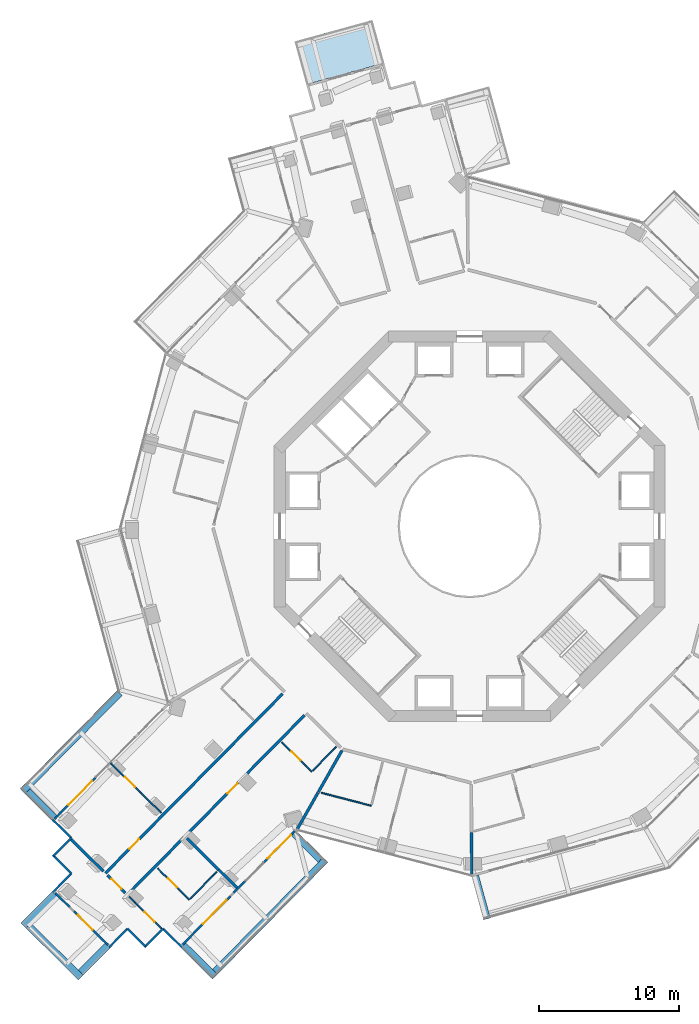
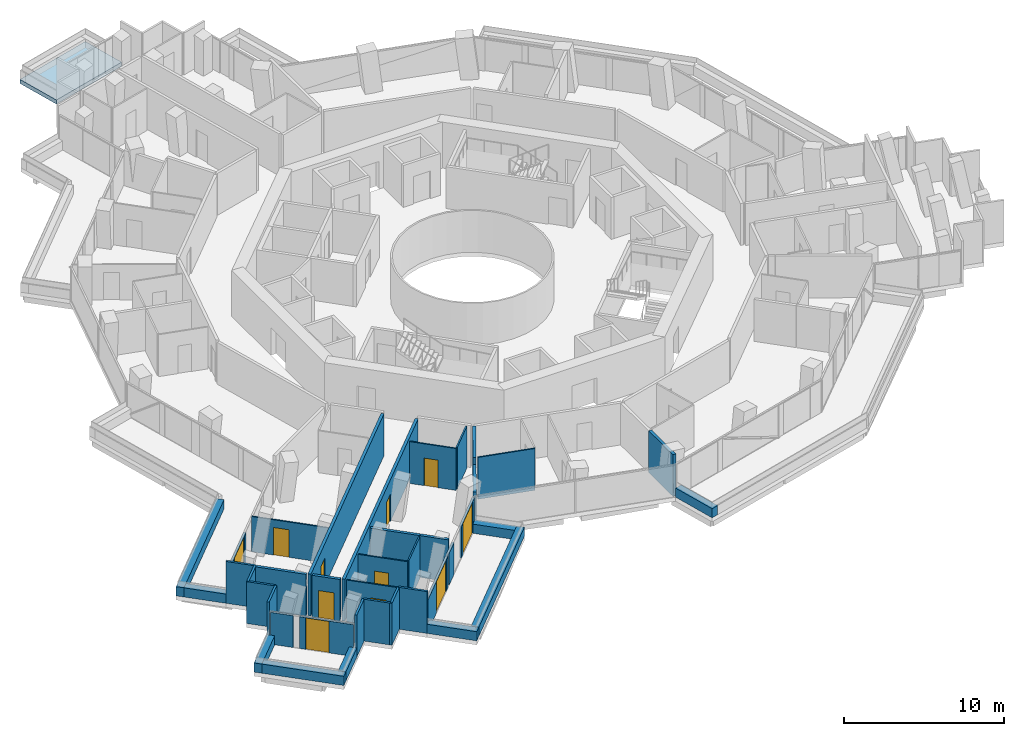
# One storey, part 17 of 26: 39 walls, 11 doors, 1 slab, 11 openings.
"""IFC4 building model written with IfcOpenShell, lengths in metres."""

from ifc_helpers import new_model, si_unit, direction, frame, frame_2d, origin, place, context, subcontext, project, spatial, polyline, rectangle, outline, extrude, material, layer, layer_set, type_object, element, fill, save


model = new_model("IFC4")

# Units and contexts
model_context = context("Model", 3, precision=1e-05, world=origin(), true_north=direction((0.0, 1.0)))
body_context = subcontext(model_context, "Body", "Model", "MODEL_VIEW")
ifc_project = project(units=[si_unit("LENGTHUNIT", "METRE"), si_unit("AREAUNIT", "SQUARE_METRE"), si_unit("VOLUMEUNIT", "CUBIC_METRE"), si_unit("PLANEANGLEUNIT", "RADIAN"), si_unit("MASSUNIT", "GRAM", prefix="KILO")], contexts=[model_context])

# Site, building, storey
site_placement = place(None, origin())
site = spatial("IfcSite", under=ifc_project, at=site_placement, CompositionType="ELEMENT")
building_placement = place(site_placement, origin())
building = spatial("IfcBuilding", under=site, at=building_placement, Name="Verdalira Terraces Hotel", CompositionType="ELEMENT")
storey_placement = place(building_placement, frame((0.0, 0.0, 96.5)))
storey = spatial("IfcBuildingStorey", under=building, at=storey_placement, Name="L22", CompositionType="ELEMENT", Elevation=96.5)

# Slab
ifc_material_1 = material(Name="Precast concrete C40/50", Category="concrete")
ifc_layer_1 = layer(ifc_material_1, 0.31005859375)
ifc_layer_set_1 = layer_set([ifc_layer_1], Name="Balcony deck 310")
slab_type = type_object("IfcSlabType", Name="Balcony deck 310", PredefinedType="FLOOR", material=ifc_layer_set_1)
slab_placement = place(storey_placement, frame((0.0, 0.0, -0.310059)))
element("IfcSlab", 1, at=slab_placement, inside=storey, type_object=slab_type, Name="Balcony deck", PredefinedType="FLOOR", context=body_context, shape_type="SweptSolid", body=[
    extrude(outline(polyline([(-12.551758, 34.745117), (-11.704102, 31.659424), (-6.111328, 33.195557), (-6.958984, 36.281494), (-12.551758, 34.745117)])), origin(), (0.0, 0.0, 1.0), 0.310059),
])

# Walls
ifc_material_2 = material(Name="Concrete C40", Category="concrete")
ifc_layer_2 = layer(ifc_material_2, 0.5)
ifc_layer_set_2 = layer_set([ifc_layer_2], Name="Balcony planter trough with tree")
wall_type_1 = type_object("IfcWallType", Name="Balcony planter trough with tree", PredefinedType="SOLIDWALL", material=ifc_layer_set_2)
wall_1_placement = place(storey_placement, frame((-25.067383, -11.935303, 0.0), z_axis=(0.0, 0.0, 1.0), x_axis=(-0.702651745, -0.711533924, 0.0)))
element("IfcWall", 2, at=wall_1_placement, inside=storey, type_object=wall_type_1, Name="Balcony planter", PredefinedType="SOLIDWALL", context=body_context, shape_type="SweptSolid", body=[
    extrude(rectangle(XDim=9.922607, YDim=0.5, at=frame_2d((4.961426, 0.0))), origin(), (0.0, 0.0, 1.0), 0.699951),
])
wall_2_placement = place(storey_placement, frame((-31.686035, -18.993408, 0.0), z_axis=(0.0, 0.0, 1.0), x_axis=(0.711525223, -0.702660556, 0.0)))
element("IfcWall", 3, at=wall_2_placement, inside=storey, type_object=wall_type_1, Name="Balcony planter", PredefinedType="SOLIDWALL", context=body_context, shape_type="SweptSolid", body=[
    extrude(rectangle(XDim=2.698975, YDim=0.5, at=frame_2d((1.349609, 0.0))), origin(), (0.0, 0.0, 1.0), 0.699951),
])
wall_3_placement = place(storey_placement, frame((-29.731445, -26.335938, 0.0), z_axis=(0.0, 0.0, 1.0), x_axis=(-0.70266644, -0.711519412, 0.0)))
element("IfcWall", 4, at=wall_3_placement, inside=storey, type_object=wall_type_1, Name="Balcony planter", PredefinedType="SOLIDWALL", context=body_context, shape_type="SweptSolid", body=[
    extrude(rectangle(XDim=3.198975, YDim=0.5, at=frame_2d((1.599609, 0.0))), origin(), (0.0, 0.0, 1.0), 0.699951),
])
wall_4_placement = place(storey_placement, frame((-31.625732, -28.609863, 0.0), z_axis=(0.0, 0.0, 1.0), x_axis=(0.711537906, -0.702647713, 0.0)))
element("IfcWall", 5, at=wall_4_placement, inside=storey, type_object=wall_type_1, Name="Balcony planter", PredefinedType="SOLIDWALL", context=body_context, shape_type="SweptSolid", body=[
    extrude(rectangle(XDim=5.300049, YDim=0.5, at=frame_2d((2.649902, 0.0))), origin(), (0.0, 0.0, 1.0), 0.699951),
])
wall_5_placement = place(storey_placement, frame((-27.856689, -31.980469, 0.0), z_axis=(0.0, 0.0, 1.0), x_axis=(0.702660556, 0.711525223, 0.0)))
element("IfcWall", 6, at=wall_5_placement, inside=storey, type_object=wall_type_1, Name="Balcony planter", PredefinedType="SOLIDWALL", context=body_context, shape_type="SweptSolid", body=[
    extrude(rectangle(XDim=2.698975, YDim=0.5, at=frame_2d((1.349609, 0.0))), origin(), (0.0, 0.0, 1.0), 0.699951),
])
wall_6_placement = place(storey_placement, frame((-20.51416, -30.025879, 0.0), z_axis=(0.0, 0.0, 1.0), x_axis=(0.711557569, -0.7026278, 0.0)))
element("IfcWall", 7, at=wall_6_placement, inside=storey, type_object=wall_type_1, Name="Balcony planter", PredefinedType="SOLIDWALL", context=body_context, shape_type="SweptSolid", body=[
    extrude(rectangle(XDim=3.19873, YDim=0.5, at=frame_2d((1.599365, 0.0))), origin(), (0.0, 0.0, 1.0), 0.699951),
])
wall_7_placement = place(storey_placement, frame((-18.240234, -31.919922, 0.0), z_axis=(0.0, 0.0, 1.0), x_axis=(0.702652115, 0.711533558, 0.0)))
element("IfcWall", 8, at=wall_7_placement, inside=storey, type_object=wall_type_1, Name="Balcony planter", PredefinedType="SOLIDWALL", context=body_context, shape_type="SweptSolid", body=[
    extrude(rectangle(XDim=11.270508, YDim=0.5, at=frame_2d((5.635254, 0.0))), origin(), (0.0, 0.0, 1.0), 0.699951),
])
wall_8_placement = place(storey_placement, frame((-10.674561, -23.902832, 0.0), z_axis=(0.0, 0.0, 1.0), x_axis=(-0.711570449, 0.702614757, 0.0)))
element("IfcWall", 9, at=wall_8_placement, inside=storey, type_object=wall_type_1, Name="Balcony planter", PredefinedType="SOLIDWALL", context=body_context, shape_type="SweptSolid", body=[
    extrude(rectangle(XDim=2.69873, YDim=0.5, at=frame_2d((1.349365, 0.0))), origin(), (0.0, 0.0, 1.0), 0.699951),
])
wall_9_placement = place(storey_placement, frame((0.39917, -25.04834, 0.0), z_axis=(0.0, 0.0, 1.0), x_axis=(0.264899272, -0.964276089, 0.0)))
element("IfcWall", 10, at=wall_9_placement, inside=storey, type_object=wall_type_1, Name="Balcony planter", PredefinedType="SOLIDWALL", context=body_context, shape_type="SweptSolid", body=[
    extrude(rectangle(XDim=3.198975, YDim=0.5, at=frame_2d((1.599609, 0.0))), origin(), (0.0, 0.0, 1.0), 0.699951),
])

# Wall, opening, door
ifc_material_3 = material(Name="Moisture-resistant gypsum board partition")
ifc_layer_3 = layer(ifc_material_3, 0.10009765625)
ifc_layer_set_3 = layer_set([ifc_layer_3], Name="Bathroom partition 100 mm")
wall_type_2 = type_object("IfcWallType", Name="Bathroom partition 100 mm", PredefinedType="PARTITIONING", material=ifc_layer_set_3)
wall_10_placement = place(storey_placement, frame((-24.390625, -26.549316, 0.0), z_axis=(0.0, 0.0, 1.0), x_axis=(0.711559626, -0.702625717, 0.0)))
wall_10 = element("IfcWall", 11, at=wall_10_placement, inside=storey, type_object=wall_type_2, Name="Bathroom partition", PredefinedType="PARTITIONING", context=body_context, shape_type="SweptSolid", body=[
    extrude(rectangle(XDim=3.251953, YDim=0.100098, at=frame_2d((1.625977, 0.0))), origin(), (0.0, 0.0, 1.0), 3.189941),
])
opening_1_placement = place(wall_10_placement, frame((1.550049, 0.0, 0.0)))
opening_1 = element("IfcOpeningElement", 12, at=opening_1_placement, cuts=wall_10, Name="Opening L22-117", PredefinedType="OPENING", context=body_context, shape_type="SweptSolid", body=[
    extrude(rectangle(XDim=1.0, YDim=2.100098, at=frame_2d((0.5, 1.050049))), frame((0.0, 0.060059, 0.0), z_axis=(0.0, -1.0, 0.0), x_axis=(1.0, 0.0, 0.0)), (0.0, 0.0, 1.0), 0.120117),
])
ifc_material_4 = material(Name="Timber door", Category="wood")
door_type_1 = type_object("IfcDoorType", Name="Suite internal door 1000 x 2100", OperationType="NOTDEFINED", PredefinedType="DOOR", material=ifc_material_4)
door_1_placement = place(opening_1_placement, origin())
door_1 = element("IfcDoor", 13, at=door_1_placement, inside=storey, type_object=door_type_1, Name="Suite internal door 2206", OperationType="SINGLE_SWING_LEFT", OverallHeight=2.10009765625, OverallWidth=1.0, PredefinedType="DOOR", context=body_context, shape_type="SweptSolid", body=[
    extrude(rectangle(XDim=1.0, YDim=2.100098, at=frame_2d((0.5, 1.050049))), frame((0.0, 0.024902, 0.0), z_axis=(0.0, -1.0, 0.0), x_axis=(1.0, 0.0, 0.0)), (0.0, 0.0, 1.0), 0.050049),
])
fill(opening_1, door_1)

wall_11_placement = place(storey_placement, frame((-22.363281, -24.496094, 0.0), z_axis=(0.0, 0.0, 1.0), x_axis=(0.711517988, -0.702667882, 0.0)))
wall_11 = element("IfcWall", 14, at=wall_11_placement, inside=storey, type_object=wall_type_2, Name="Bathroom partition", PredefinedType="PARTITIONING", context=body_context, shape_type="SweptSolid", body=[
    extrude(rectangle(XDim=3.199951, YDim=0.100098, at=frame_2d((1.600098, 0.0))), origin(), (0.0, 0.0, 1.0), 3.189941),
])
opening_2_placement = place(wall_11_placement, frame((1.050049, 0.0, 0.0)))
opening_2 = element("IfcOpeningElement", 15, at=opening_2_placement, cuts=wall_11, Name="Opening L22-118", PredefinedType="OPENING", context=body_context, shape_type="SweptSolid", body=[
    extrude(rectangle(XDim=0.899902, YDim=2.100098, at=frame_2d((0.449951, 1.050049))), frame((0.0, 0.060059, 0.0), z_axis=(0.0, -1.0, 0.0), x_axis=(1.0, 0.0, 0.0)), (0.0, 0.0, 1.0), 0.120117),
])
ifc_material_5 = material(Name="Timber door", Category="wood")
door_type_2 = type_object("IfcDoorType", Name="Bathroom door 900 x 2100", OperationType="NOTDEFINED", PredefinedType="DOOR", material=ifc_material_5)
door_2_placement = place(opening_2_placement, origin())
door_2 = element("IfcDoor", 16, at=door_2_placement, inside=storey, type_object=door_type_2, Name="Bathroom door 2206", OperationType="SINGLE_SWING_RIGHT", OverallHeight=2.10009765625, OverallWidth=0.89990234375, PredefinedType="DOOR", context=body_context, shape_type="SweptSolid", body=[
    extrude(rectangle(XDim=0.899902, YDim=2.100098, at=frame_2d((0.449951, 1.050049))), frame((0.0, 0.024902, 0.0), z_axis=(0.0, -1.0, 0.0), x_axis=(1.0, 0.0, 0.0)), (0.0, 0.0, 1.0), 0.050049),
])
fill(opening_2, door_2)

# Wall
wall_12_placement = place(storey_placement, frame((-20.016113, -26.673584, 0.0), z_axis=(0.0, 0.0, 1.0), x_axis=(0.702662267, 0.711523533, 0.0)))
element("IfcWall", 17, at=wall_12_placement, inside=storey, type_object=wall_type_2, Name="Bathroom partition", PredefinedType="PARTITIONING", context=body_context, shape_type="SweptSolid", body=[
    extrude(rectangle(XDim=2.699951, YDim=0.100098, at=frame_2d((1.350098, 0.0))), origin(), (0.0, 0.0, 1.0), 3.189941),
])

# Wall, opening, door
wall_13_placement = place(storey_placement, frame((-13.449951, -15.470215, 0.0), z_axis=(0.0, 0.0, 1.0), x_axis=(0.711528223, -0.702657518, 0.0)))
wall_13 = element("IfcWall", 18, at=wall_13_placement, inside=storey, type_object=wall_type_2, Name="Bathroom partition", PredefinedType="PARTITIONING", context=body_context, shape_type="SweptSolid", body=[
    extrude(rectangle(XDim=3.0, YDim=0.100098, at=frame_2d((1.5, 0.0))), origin(), (0.0, 0.0, 1.0), 3.189941),
])
opening_3_placement = place(wall_13_placement, frame((0.949951, 0.0, 0.0)))
opening_3 = element("IfcOpeningElement", 19, at=opening_3_placement, cuts=wall_13, Name="Opening L22-120", PredefinedType="OPENING", context=body_context, shape_type="SweptSolid", body=[
    extrude(rectangle(XDim=0.899902, YDim=2.100098, at=frame_2d((0.449951, 1.050049))), frame((0.0, 0.060059, 0.0), z_axis=(0.0, -1.0, 0.0), x_axis=(1.0, 0.0, 0.0)), (0.0, 0.0, 1.0), 0.120117),
])
door_3_placement = place(opening_3_placement, origin())
door_3 = element("IfcDoor", 20, at=door_3_placement, inside=storey, type_object=door_type_2, Name="Bathroom door 2207", OperationType="SINGLE_SWING_RIGHT", OverallHeight=2.10009765625, OverallWidth=0.89990234375, PredefinedType="DOOR", context=body_context, shape_type="SweptSolid", body=[
    extrude(rectangle(XDim=0.899902, YDim=2.100098, at=frame_2d((0.449951, 1.050049))), frame((0.0, 0.024902, 0.0), z_axis=(0.0, -1.0, 0.0), x_axis=(1.0, 0.0, 0.0)), (0.0, 0.0, 1.0), 0.050049),
])
fill(opening_3, door_3)

# Walls
wall_14_placement = place(storey_placement, frame((-9.558838, -15.799316, 0.0), z_axis=(0.0, 0.0, 1.0), x_axis=(-0.702616701, -0.711568529, 0.0)))
element("IfcWall", 21, at=wall_14_placement, inside=storey, type_object=wall_type_2, Name="Bathroom partition", PredefinedType="PARTITIONING", context=body_context, shape_type="SweptSolid", body=[
    extrude(rectangle(XDim=2.399902, YDim=0.100098, at=frame_2d((1.199951, 0.0))), origin(), (0.0, 0.0, 1.0), 3.189941),
])
wall_15_placement = place(storey_placement, frame((-10.632568, -19.09082, 0.0), z_axis=(0.0, 0.0, 1.0), x_axis=(0.967525515, -0.252773373, 0.0)))
element("IfcWall", 22, at=wall_15_placement, inside=storey, type_object=wall_type_2, Name="Bathroom partition", PredefinedType="PARTITIONING", context=body_context, shape_type="SweptSolid", body=[
    extrude(rectangle(XDim=3.704102, YDim=0.100098, at=frame_2d((1.852051, 0.0))), origin(), (0.0, 0.0, 1.0), 3.189941),
])

# Wall, opening, door
ifc_material_6 = material(Name="Moisture-resistant gypsum board partition")
ifc_layer_4 = layer(ifc_material_6, 0.10009765625)
ifc_layer_set_4 = layer_set([ifc_layer_4], Name="Bathroom partition 100 mm to beam soffit")
wall_type_3 = type_object("IfcWallType", Name="Bathroom partition 100 mm to beam soffit", PredefinedType="PARTITIONING", material=ifc_layer_set_4)
wall_16_placement = place(storey_placement, frame((-25.698486, -16.986328, 0.0), z_axis=(0.0, 0.0, 1.0), x_axis=(0.711540525, -0.70264506, 0.0)))
wall_16 = element("IfcWall", 23, at=wall_16_placement, inside=storey, type_object=wall_type_3, Name="Bathroom partition", PredefinedType="PARTITIONING", context=body_context, shape_type="SweptSolid", body=[
    extrude(rectangle(XDim=5.050049, YDim=0.100098, at=frame_2d((2.524902, 0.0))), origin(), (0.0, 0.0, 1.0), 2.689941),
])
opening_4_placement = place(wall_16_placement, frame((1.399902, 0.0, 0.0)))
opening_4 = element("IfcOpeningElement", 24, at=opening_4_placement, cuts=wall_16, Name="Opening L22-114", PredefinedType="OPENING", context=body_context, shape_type="SweptSolid", body=[
    extrude(rectangle(XDim=1.0, YDim=2.100098, at=frame_2d((0.5, 1.050049))), frame((0.0, 0.060059, 0.0), z_axis=(0.0, -1.0, 0.0), x_axis=(1.0, 0.0, 0.0)), (0.0, 0.0, 1.0), 0.120117),
])
door_4_placement = place(opening_4_placement, origin())
door_4 = element("IfcDoor", 25, at=door_4_placement, inside=storey, type_object=door_type_1, Name="Suite internal door 2205", OperationType="SINGLE_SWING_LEFT", OverallHeight=2.10009765625, OverallWidth=1.0, PredefinedType="DOOR", context=body_context, shape_type="SweptSolid", body=[
    extrude(rectangle(XDim=1.0, YDim=2.100098, at=frame_2d((0.5, 1.050049))), frame((0.0, 0.024902, 0.0), z_axis=(0.0, -1.0, 0.0), x_axis=(1.0, 0.0, 0.0)), (0.0, 0.0, 1.0), 0.050049),
])
fill(opening_4, door_4)

# Walls
ifc_material_7 = material(Name="Fire-rated gypsum board wall")
ifc_layer_5 = layer(ifc_material_7, 0.199951171875)
ifc_layer_set_5 = layer_set([ifc_layer_5], Name="Demising wall 200 mm")
wall_type_4 = type_object("IfcWallType", Name="Demising wall 200 mm", PredefinedType="SOLIDWALL", material=ifc_layer_set_5)
wall_17_placement = place(storey_placement, frame((-26.240479, -24.722412, 0.0), z_axis=(0.0, 0.0, 1.0), x_axis=(-0.711522093, 0.702663726, 0.0)))
element("IfcWall", 26, at=wall_17_placement, inside=storey, type_object=wall_type_4, Name="Demising wall", PredefinedType="SOLIDWALL", context=body_context, shape_type="SweptSolid", body=[
    extrude(rectangle(XDim=3.252197, YDim=0.199951, at=frame_2d((1.625977, 0.0))), origin(), (0.0, 0.0, 1.0), 3.189941),
])
wall_18_placement = place(storey_placement, frame((-20.255371, -22.361572, 0.0), z_axis=(0.0, 0.0, 1.0), x_axis=(0.711517988, -0.702667882, 0.0)))
element("IfcWall", 27, at=wall_18_placement, inside=storey, type_object=wall_type_4, Name="Demising wall", PredefinedType="SOLIDWALL", context=body_context, shape_type="SweptSolid", body=[
    extrude(rectangle(XDim=3.199951, YDim=0.199951, at=frame_2d((1.600098, 0.0))), origin(), (0.0, 0.0, 1.0), 3.189941),
])
wall_19_placement = place(storey_placement, frame((-17.978516, -24.610107, 0.0), z_axis=(0.0, 0.0, 1.0), x_axis=(0.711579508, -0.702605582, 0.0)))
element("IfcWall", 28, at=wall_19_placement, inside=storey, type_object=wall_type_4, Name="Demising wall", PredefinedType="SOLIDWALL", context=body_context, shape_type="SweptSolid", body=[
    extrude(rectangle(XDim=1.850098, YDim=0.199951, at=frame_2d((0.925049, 0.0))), origin(), (0.0, 0.0, 1.0), 3.189941),
])
wall_20_placement = place(storey_placement, frame((-9.143311, -16.069092, 0.0), z_axis=(0.0, 0.0, 1.0), x_axis=(-0.494561457, -0.869142661, 0.0)))
element("IfcWall", 29, at=wall_20_placement, inside=storey, type_object=wall_type_4, Name="Demising wall", PredefinedType="SOLIDWALL", context=body_context, shape_type="SweptSolid", body=[
    extrude(rectangle(XDim=3.418457, YDim=0.199951, at=frame_2d((1.709229, 0.0))), origin(), (0.0, 0.0, 1.0), 3.189941),
])
wall_21_placement = place(storey_placement, frame((0.137939, -21.952148, 0.0), z_axis=(0.0, 0.0, 1.0), x_axis=(0.006323343, -0.999980007, 0.0)))
element("IfcWall", 30, at=wall_21_placement, inside=storey, type_object=wall_type_4, Name="Demising wall", PredefinedType="SOLIDWALL", context=body_context, shape_type="SweptSolid", body=[
    extrude(rectangle(XDim=3.011475, YDim=0.199951, at=frame_2d((1.505859, 0.0))), origin(), (0.0, 0.0, 1.0), 3.189941),
])
ifc_material_8 = material(Name="Fire-rated gypsum board wall")
ifc_layer_6 = layer(ifc_material_8, 0.199951171875)
ifc_layer_set_6 = layer_set([ifc_layer_6], Name="Demising wall 200 mm to beam soffit")
wall_type_5 = type_object("IfcWallType", Name="Demising wall 200 mm to beam soffit", PredefinedType="SOLIDWALL", material=ifc_layer_set_6)
wall_22_placement = place(storey_placement, frame((-10.856689, -19.080078, 0.0), z_axis=(0.0, 0.0, 1.0), x_axis=(-0.494531641, -0.869159626, 0.0)))
element("IfcWall", 31, at=wall_22_placement, inside=storey, type_object=wall_type_5, Name="Demising wall", PredefinedType="SOLIDWALL", context=body_context, shape_type="SweptSolid", body=[
    extrude(rectangle(XDim=3.011475, YDim=0.199951, at=frame_2d((1.505859, 0.0))), origin(), (0.0, 0.0, 1.0), 2.689941),
])

# Wall, opening, door
ifc_material_9 = material(Name="Fire-rated gypsum board wall")
ifc_layer_7 = layer(ifc_material_9, 0.199951171875)
ifc_layer_set_7 = layer_set([ifc_layer_7], Name="Guest corridor wall 200 mm")
wall_type_6 = type_object("IfcWallType", Name="Guest corridor wall 200 mm", PredefinedType="SOLIDWALL", material=ifc_layer_set_7)
wall_23_placement = place(storey_placement, frame((-24.673828, -26.269531, 0.0), z_axis=(0.0, 0.0, 1.0), x_axis=(-0.711563629, 0.702621664, 0.0)))
wall_23 = element("IfcWall", 32, at=wall_23_placement, inside=storey, type_object=wall_type_6, Name="Guest corridor wall", PredefinedType="SOLIDWALL", context=body_context, shape_type="SweptSolid", body=[
    extrude(rectangle(XDim=1.802002, YDim=0.199951, at=frame_2d((0.900879, 0.0))), origin(), (0.0, 0.0, 1.0), 3.189941),
])
opening_5_placement = place(wall_23_placement, frame((0.399902, 0.0, 0.0)))
opening_5 = element("IfcOpeningElement", 33, at=opening_5_placement, cuts=wall_23, Name="Opening L22-116", PredefinedType="OPENING", context=body_context, shape_type="SweptSolid", body=[
    extrude(rectangle(XDim=1.0, YDim=2.100098, at=frame_2d((0.5, 1.050049))), frame((0.0, 0.109863, 0.0), z_axis=(0.0, -1.0, 0.0), x_axis=(1.0, 0.0, 0.0)), (0.0, 0.0, 1.0), 0.219971),
])
ifc_material_10 = material(Name="Timber fire door", Category="wood")
door_type_3 = type_object("IfcDoorType", Name="Guest entry door 1000 x 2100", OperationType="NOTDEFINED", PredefinedType="DOOR", material=ifc_material_10)
door_5_placement = place(opening_5_placement, origin())
door_5 = element("IfcDoor", 34, at=door_5_placement, inside=storey, type_object=door_type_3, Name="Guest entry door 2206", OperationType="SINGLE_SWING_LEFT", OverallHeight=2.10009765625, OverallWidth=1.0, PredefinedType="DOOR", context=body_context, shape_type="SweptSolid", body=[
    extrude(rectangle(XDim=1.0, YDim=2.100098, at=frame_2d((0.5, 1.050049))), frame((0.0, 0.024902, 0.0), z_axis=(0.0, -1.0, 0.0), x_axis=(1.0, 0.0, 0.0)), (0.0, 0.0, 1.0), 0.050049),
])
fill(opening_5, door_5)

wall_24_placement = place(storey_placement, frame((-26.098389, -24.862793, 0.0), z_axis=(0.0, 0.0, 1.0), x_axis=(0.70265465, 0.711531056, 0.0)))
wall_24 = element("IfcWall", 35, at=wall_24_placement, inside=storey, type_object=wall_type_6, Name="Guest corridor wall", PredefinedType="SOLIDWALL", context=body_context, shape_type="SweptSolid", body=[
    extrude(rectangle(XDim=18.070312, YDim=0.199951, at=frame_2d((9.035156, 0.0))), origin(), (0.0, 0.0, 1.0), 3.189941),
])
opening_6_placement = place(wall_24_placement, frame((2.449951, 0.0, 0.0)))
opening_6 = element("IfcOpeningElement", 36, at=opening_6_placement, cuts=wall_24, Name="Opening L22-113", PredefinedType="OPENING", context=body_context, shape_type="SweptSolid", body=[
    extrude(rectangle(XDim=1.0, YDim=2.100098, at=frame_2d((0.5, 1.050049))), frame((0.0, 0.109863, 0.0), z_axis=(0.0, -1.0, 0.0), x_axis=(1.0, 0.0, 0.0)), (0.0, 0.0, 1.0), 0.219971),
])
door_6_placement = place(opening_6_placement, origin())
door_6 = element("IfcDoor", 37, at=door_6_placement, inside=storey, type_object=door_type_3, Name="Guest entry door 2205", OperationType="SINGLE_SWING_LEFT", OverallHeight=2.10009765625, OverallWidth=1.0, PredefinedType="DOOR", context=body_context, shape_type="SweptSolid", body=[
    extrude(rectangle(XDim=1.0, YDim=2.100098, at=frame_2d((0.5, 1.050049))), frame((0.0, 0.024902, 0.0), z_axis=(0.0, -1.0, 0.0), x_axis=(1.0, 0.0, 0.0)), (0.0, 0.0, 1.0), 0.050049),
])
fill(opening_6, door_6)

wall_25_placement = place(storey_placement, frame((-11.835693, -13.550781, 0.0), z_axis=(0.0, 0.0, 1.0), x_axis=(-0.702647895, -0.711537726, 0.0)))
wall_25 = element("IfcWall", 38, at=wall_25_placement, inside=storey, type_object=wall_type_6, Name="Guest corridor wall", PredefinedType="SOLIDWALL", context=body_context, shape_type="SweptSolid", body=[
    extrude(rectangle(XDim=18.070557, YDim=0.199951, at=frame_2d((9.035156, 0.0))), origin(), (0.0, 0.0, 1.0), 3.189941),
])
opening_7_placement = place(wall_25_placement, frame((6.850098, 0.0, 0.0)))
opening_7 = element("IfcOpeningElement", 39, at=opening_7_placement, cuts=wall_25, Name="Opening L22-119", PredefinedType="OPENING", context=body_context, shape_type="SweptSolid", body=[
    extrude(rectangle(XDim=1.0, YDim=2.100098, at=frame_2d((0.5, 1.050049))), frame((0.0, 0.109863, 0.0), z_axis=(0.0, -1.0, 0.0), x_axis=(1.0, 0.0, 0.0)), (0.0, 0.0, 1.0), 0.219971),
])
door_7_placement = place(opening_7_placement, origin())
door_7 = element("IfcDoor", 40, at=door_7_placement, inside=storey, type_object=door_type_3, Name="Guest entry door 2207", OperationType="SINGLE_SWING_RIGHT", OverallHeight=2.10009765625, OverallWidth=1.0, PredefinedType="DOOR", context=body_context, shape_type="SweptSolid", body=[
    extrude(rectangle(XDim=1.0, YDim=2.100098, at=frame_2d((0.5, 1.050049))), frame((0.0, 0.024902, 0.0), z_axis=(0.0, -1.0, 0.0), x_axis=(1.0, 0.0, 0.0)), (0.0, 0.0, 1.0), 0.050049),
])
fill(opening_7, door_7)

# Walls
ifc_material_11 = material(Name="Terracotta cladding", Category="masonry")
ifc_layer_8 = layer(ifc_material_11, 0.14990234375)
ifc_layer_set_8 = layer_set([ifc_layer_8], Name="Terracotta clad wall 150")
wall_type_7 = type_object("IfcWallType", Name="Terracotta clad wall 150", PredefinedType="SOLIDWALL", material=ifc_layer_set_8)
wall_26_placement = place(storey_placement, frame((-29.887939, -21.015137, 0.0), z_axis=(0.0, 0.0, 1.0), x_axis=(0.711584675, -0.702600349, 0.0)))
element("IfcWall", 41, at=wall_26_placement, inside=storey, type_object=wall_type_7, Name="Terracotta cladding wall", PredefinedType="SOLIDWALL", context=body_context, shape_type="SweptSolid", body=[
    extrude(rectangle(XDim=1.875, YDim=0.149902, at=frame_2d((0.9375, 0.0))), origin(), (0.0, 0.0, 1.0), 3.189941),
])
wall_27_placement = place(storey_placement, frame((-28.553711, -22.33252, 0.0), z_axis=(0.0, 0.0, 1.0), x_axis=(-0.702685154, -0.71150093, 0.0)))
element("IfcWall", 42, at=wall_27_placement, inside=storey, type_object=wall_type_7, Name="Terracotta cladding wall", PredefinedType="SOLIDWALL", context=body_context, shape_type="SweptSolid", body=[
    extrude(rectangle(XDim=1.800049, YDim=0.149902, at=frame_2d((0.899902, 0.0))), origin(), (0.0, 0.0, 1.0), 3.189941),
])
wall_28_placement = place(storey_placement, frame((-29.871826, -23.560547, 0.0), z_axis=(0.0, 0.0, 1.0), x_axis=(0.711455288, -0.702731367, 0.0)))
element("IfcWall", 43, at=wall_28_placement, inside=storey, type_object=wall_type_7, Name="Terracotta cladding wall", PredefinedType="SOLIDWALL", context=body_context, shape_type="SweptSolid", body=[
    extrude(rectangle(XDim=1.875, YDim=0.149902, at=frame_2d((0.9375, 0.0))), origin(), (0.0, 0.0, 1.0), 3.189941),
])
for number, where, z_axis, x_axis, name in (
    (44, (-28.537842, -24.878174, 0.0), (0.0, 0.0, 1.0), (-0.702665451, -0.711520389, 0.0), "Terracotta cladding wall"),
    (45, (-25.834961, -30.182129, 0.0), (0.0, 0.0, 1.0), (0.702665451, 0.711520389, 0.0), "Terracotta cladding wall"),
):
    element("IfcWall", number, at=place(storey_placement, frame(where, z_axis=z_axis, x_axis=x_axis)), inside=storey, type_object=wall_type_7, Name=name, PredefinedType="SOLIDWALL", context=body_context, shape_type="SweptSolid", body=[
        extrude(rectangle(XDim=1.874756, YDim=0.149902, at=frame_2d((0.9375, 0.0))), origin(), (0.0, 0.0, 1.0), 3.189941),
    ])
wall_29_placement = place(storey_placement, frame((-24.517578, -28.848145, 0.0), z_axis=(0.0, 0.0, 1.0), x_axis=(0.711568742, -0.702616485, 0.0)))
element("IfcWall", 46, at=wall_29_placement, inside=storey, type_object=wall_type_7, Name="Terracotta cladding wall", PredefinedType="SOLIDWALL", context=body_context, shape_type="SweptSolid", body=[
    extrude(rectangle(XDim=1.799805, YDim=0.149902, at=frame_2d((0.899902, 0.0))), origin(), (0.0, 0.0, 1.0), 3.189941),
])
wall_30_placement = place(storey_placement, frame((-23.289551, -30.16626, 0.0), z_axis=(0.0, 0.0, 1.0), x_axis=(0.702666271, 0.711519579, 0.0)))
element("IfcWall", 47, at=wall_30_placement, inside=storey, type_object=wall_type_7, Name="Terracotta cladding wall", PredefinedType="SOLIDWALL", context=body_context, shape_type="SweptSolid", body=[
    extrude(rectangle(XDim=1.875244, YDim=0.149902, at=frame_2d((0.9375, 0.0))), origin(), (0.0, 0.0, 1.0), 3.189941),
])
wall_31_placement = place(storey_placement, frame((-21.971924, -28.832031, 0.0), z_axis=(0.0, 0.0, 1.0), x_axis=(0.711455288, -0.702731367, 0.0)))
element("IfcWall", 48, at=wall_31_placement, inside=storey, type_object=wall_type_7, Name="Terracotta cladding wall", PredefinedType="SOLIDWALL", context=body_context, shape_type="SweptSolid", body=[
    extrude(rectangle(XDim=1.875, YDim=0.149902, at=frame_2d((0.9375, 0.0))), origin(), (0.0, 0.0, 1.0), 3.189941),
])
ifc_material_12 = material(Name="Terracotta cladding", Category="masonry")
ifc_layer_9 = layer(ifc_material_12, 0.14990234375)
ifc_layer_set_9 = layer_set([ifc_layer_9], Name="Terracotta column pier 150")
wall_type_8 = type_object("IfcWallType", Name="Terracotta column pier 150", PredefinedType="SOLIDWALL", material=ifc_layer_set_9)
wall_32_placement = place(storey_placement, frame((-29.692139, -26.267822, 0.0), z_axis=(0.0, 0.0, 1.0), x_axis=(0.711533637, -0.702652035, 0.0)))
element("IfcWall", 49, at=wall_32_placement, inside=storey, type_object=wall_type_8, Name="Terracotta column pier", PredefinedType="SOLIDWALL", context=body_context, shape_type="SweptSolid", body=[
    extrude(rectangle(XDim=1.456787, YDim=0.149902, at=frame_2d((0.728516, 0.0))), origin(), (0.0, 0.0, 1.0), 2.425049),
])
wall_33_placement = place(storey_placement, frame((-16.924805, -26.282959, 0.0), z_axis=(0.0, 0.0, 1.0), x_axis=(0.70267055, 0.711515354, 0.0)))
element("IfcWall", 50, at=wall_33_placement, inside=storey, type_object=wall_type_8, Name="Terracotta column pier", PredefinedType="SOLIDWALL", context=body_context, shape_type="SweptSolid", body=[
    extrude(rectangle(XDim=1.242188, YDim=0.149902, at=frame_2d((0.621094, 0.0))), origin(), (0.0, 0.0, 1.0), 2.425049),
])

# Wall, opening, door
ifc_material_13 = material(Name="Terracotta cladding", Category="masonry")
ifc_layer_10 = layer(ifc_material_13, 0.14990234375)
ifc_layer_set_10 = layer_set([ifc_layer_10], Name="Terracotta door pier 150")
wall_type_9 = type_object("IfcWallType", Name="Terracotta door pier 150", PredefinedType="SOLIDWALL", material=ifc_layer_set_10)
wall_34_placement = place(storey_placement, frame((-26.768555, -17.963135, 0.0), z_axis=(0.0, 0.0, 1.0), x_axis=(-0.702665451, -0.711520389, 0.0)))
wall_34 = element("IfcWall", 51, at=wall_34_placement, inside=storey, type_object=wall_type_9, Name="Terracotta door pier", PredefinedType="SOLIDWALL", context=body_context, shape_type="SweptSolid", body=[
    extrude(rectangle(XDim=4.218262, YDim=0.149902, at=frame_2d((2.109131, 0.0))), origin(), (0.0, 0.0, 1.0), 2.425049),
])
opening_8_placement = place(wall_34_placement, frame((0.399902, 0.0, 0.0)))
opening_8 = element("IfcOpeningElement", 52, at=opening_8_placement, cuts=wall_34, Name="Opening L22-B09", PredefinedType="OPENING", context=body_context, shape_type="SweptSolid", body=[
    extrude(rectangle(XDim=2.399902, YDim=2.399902, at=frame_2d((1.199951, 1.199951))), frame((0.0, 0.084961, 0.0), z_axis=(0.0, -1.0, 0.0), x_axis=(1.0, 0.0, 0.0)), (0.0, 0.0, 1.0), 0.169922),
])
ifc_material_14 = material(Name="Clear glass", Category="glass")
door_type_4 = type_object("IfcDoorType", Name="Balcony sliding door 2400x2400", OperationType="NOTDEFINED", PredefinedType="DOOR", material=ifc_material_14)
door_8_placement = place(opening_8_placement, origin())
door_8 = element("IfcDoor", 53, at=door_8_placement, inside=storey, type_object=door_type_4, Name="Balcony sliding door", OperationType="SLIDING_TO_RIGHT", OverallHeight=2.39990234375, OverallWidth=2.39990234375, PredefinedType="DOOR", context=body_context, shape_type="SweptSolid", body=[
    extrude(rectangle(XDim=2.399902, YDim=2.399902, at=frame_2d((1.199951, 1.199951))), frame((0.0, 0.024902, 0.0), z_axis=(0.0, -1.0, 0.0), x_axis=(1.0, 0.0, 0.0)), (0.0, 0.0, 1.0), 0.050049),
])
fill(opening_8, door_8)

wall_35_placement = place(storey_placement, frame((-28.361572, -27.581787, 0.0), z_axis=(0.0, 0.0, 1.0), x_axis=(0.711525411, -0.702660366, 0.0)))
wall_35 = element("IfcWall", 54, at=wall_35_placement, inside=storey, type_object=wall_type_9, Name="Terracotta door pier", PredefinedType="SOLIDWALL", context=body_context, shape_type="SweptSolid", body=[
    extrude(rectangle(XDim=3.469971, YDim=0.149902, at=frame_2d((1.734863, 0.0))), origin(), (0.0, 0.0, 1.0), 2.425049),
])
opening_9_placement = place(wall_35_placement, frame((0.399902, 0.0, 0.0)))
opening_9 = element("IfcOpeningElement", 55, at=opening_9_placement, cuts=wall_35, Name="Opening L22-B10", PredefinedType="OPENING", context=body_context, shape_type="SweptSolid", body=[
    extrude(rectangle(XDim=1.5, YDim=2.399902, at=frame_2d((0.75, 1.199951))), frame((0.0, 0.084961, 0.0), z_axis=(0.0, -1.0, 0.0), x_axis=(1.0, 0.0, 0.0)), (0.0, 0.0, 1.0), 0.169922),
])
ifc_material_15 = material(Name="Clear glass", Category="glass")
door_type_5 = type_object("IfcDoorType", Name="Balcony sliding door 1500x2400", OperationType="NOTDEFINED", PredefinedType="DOOR", material=ifc_material_15)
door_9_placement = place(opening_9_placement, origin())
door_9 = element("IfcDoor", 56, at=door_9_placement, inside=storey, type_object=door_type_5, Name="Balcony sliding door", OperationType="SLIDING_TO_RIGHT", OverallHeight=2.39990234375, OverallWidth=1.5, PredefinedType="DOOR", context=body_context, shape_type="SweptSolid", body=[
    extrude(rectangle(XDim=1.5, YDim=2.399902, at=frame_2d((0.75, 1.199951))), frame((0.0, 0.024902, 0.0), z_axis=(0.0, -1.0, 0.0), x_axis=(1.0, 0.0, 0.0)), (0.0, 0.0, 1.0), 0.050049),
])
fill(opening_9, door_9)

wall_36_placement = place(storey_placement, frame((-20.589355, -29.993652, 0.0), z_axis=(0.0, 0.0, 1.0), x_axis=(0.702640005, 0.711545518, 0.0)))
wall_36 = element("IfcWall", 57, at=wall_36_placement, inside=storey, type_object=wall_type_9, Name="Terracotta door pier", PredefinedType="SOLIDWALL", context=body_context, shape_type="SweptSolid", body=[
    extrude(rectangle(XDim=4.907227, YDim=0.149902, at=frame_2d((2.453613, 0.0))), origin(), (0.0, 0.0, 1.0), 2.425049),
])
opening_10_placement = place(wall_36_placement, frame((2.107178, 0.0, 0.0)))
opening_10 = element("IfcOpeningElement", 58, at=opening_10_placement, cuts=wall_36, Name="Opening L22-B11", PredefinedType="OPENING", context=body_context, shape_type="SweptSolid", body=[
    extrude(rectangle(XDim=2.399902, YDim=2.399902, at=frame_2d((1.199951, 1.199951))), frame((0.0, 0.084961, 0.0), z_axis=(0.0, -1.0, 0.0), x_axis=(1.0, 0.0, 0.0)), (0.0, 0.0, 1.0), 0.169922),
])
door_10_placement = place(opening_10_placement, origin())
door_10 = element("IfcDoor", 59, at=door_10_placement, inside=storey, type_object=door_type_4, Name="Balcony sliding door", OperationType="SLIDING_TO_LEFT", OverallHeight=2.39990234375, OverallWidth=2.39990234375, PredefinedType="DOOR", context=body_context, shape_type="SweptSolid", body=[
    extrude(rectangle(XDim=2.399902, YDim=2.399902, at=frame_2d((1.199951, 1.199951))), frame((0.0, 0.024902, 0.0), z_axis=(0.0, -1.0, 0.0), x_axis=(1.0, 0.0, 0.0)), (0.0, 0.0, 1.0), 0.050049),
])
fill(opening_10, door_10)

wall_37_placement = place(storey_placement, frame((-14.77124, -24.101807, 0.0), z_axis=(0.0, 0.0, 1.0), x_axis=(0.702667882, 0.711517988, 0.0)))
wall_37 = element("IfcWall", 60, at=wall_37_placement, inside=storey, type_object=wall_type_9, Name="Terracotta door pier", PredefinedType="SOLIDWALL", context=body_context, shape_type="SweptSolid", body=[
    extrude(rectangle(XDim=3.199951, YDim=0.149902, at=frame_2d((1.600098, 0.0))), origin(), (0.0, 0.0, 1.0), 2.425049),
])
opening_11_placement = place(wall_37_placement, frame((0.399902, 0.0, 0.0)))
opening_11 = element("IfcOpeningElement", 61, at=opening_11_placement, cuts=wall_37, Name="Opening L22-B12", PredefinedType="OPENING", context=body_context, shape_type="SweptSolid", body=[
    extrude(rectangle(XDim=2.399902, YDim=2.399902, at=frame_2d((1.199951, 1.199951))), frame((0.0, 0.084961, 0.0), z_axis=(0.0, -1.0, 0.0), x_axis=(1.0, 0.0, 0.0)), (0.0, 0.0, 1.0), 0.169922),
])
door_11_placement = place(opening_11_placement, origin())
door_11 = element("IfcDoor", 62, at=door_11_placement, inside=storey, type_object=door_type_4, Name="Balcony sliding door", OperationType="SLIDING_TO_RIGHT", OverallHeight=2.39990234375, OverallWidth=2.39990234375, PredefinedType="DOOR", context=body_context, shape_type="SweptSolid", body=[
    extrude(rectangle(XDim=2.399902, YDim=2.399902, at=frame_2d((1.199951, 1.199951))), frame((0.0, 0.024902, 0.0), z_axis=(0.0, -1.0, 0.0), x_axis=(1.0, 0.0, 0.0)), (0.0, 0.0, 1.0), 0.050049),
])
fill(opening_11, door_11)

save(model, "model.ifc")
